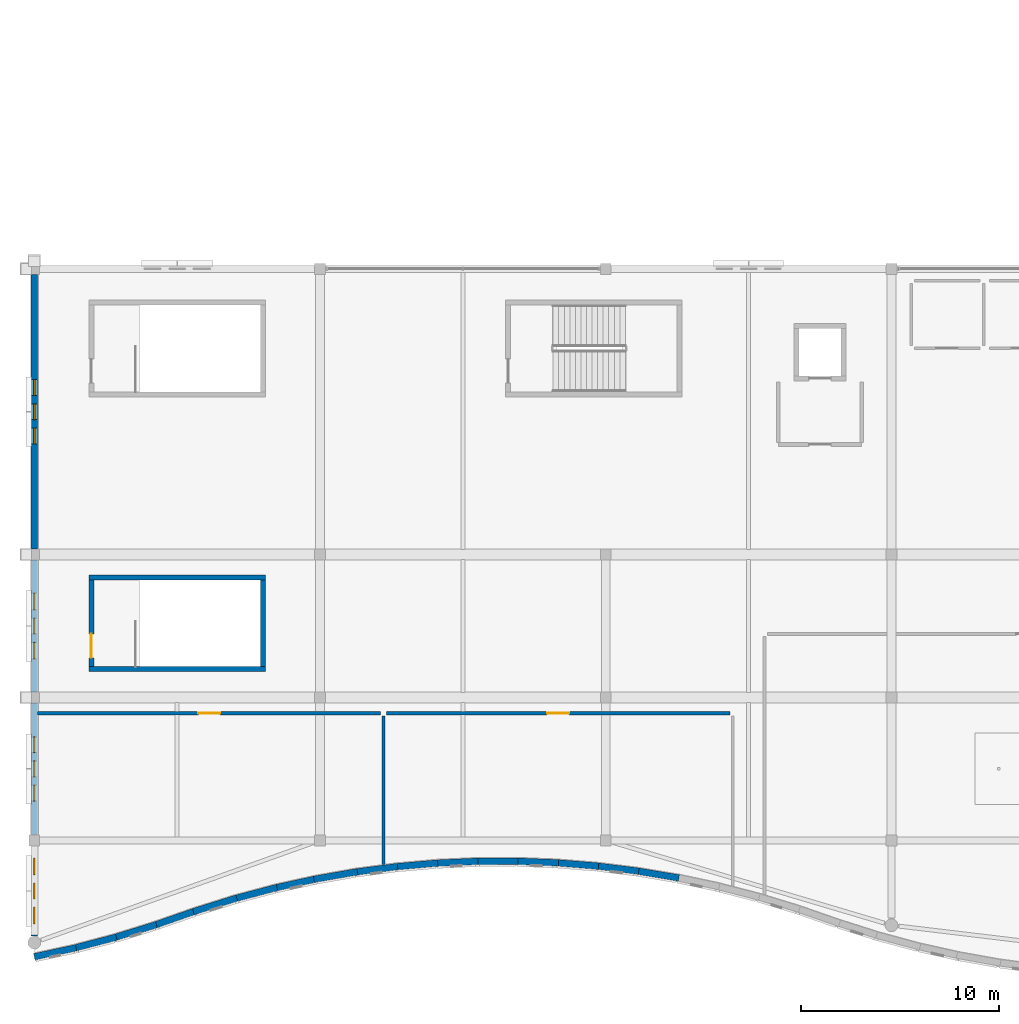
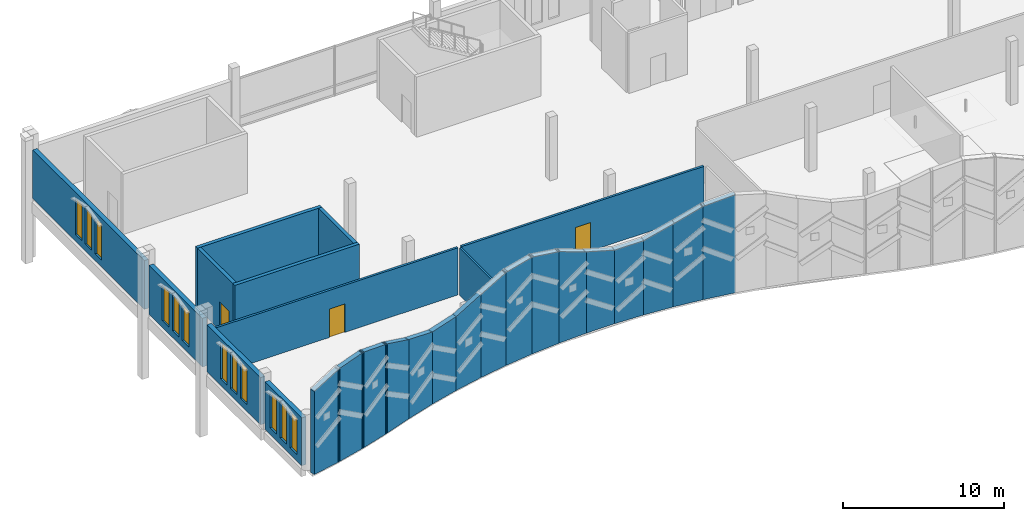
# One storey, part 82 of 116: 27 walls, 12 windows, 3 doors, 15 openings.
"""IFC4 building model written with IfcOpenShell, lengths in metres."""

import ifcopenshell
import ifcopenshell.guid

model = None  # the IFC model being written
_history = None  # IfcOwnerHistory: only IFC2X3 demands one
_inside = {}  # id of a spatial element -> (the spatial element, [elements in it])
_under = {}  # id of a project, library or spatial element -> (it, [spatial elements below it])
_declared = {}  # id of a project -> (the project, [libraries it declares])
_typed = {}  # id of a type object -> (the type object, [elements of that type])
_made_of = {}  # id of a material, layer set ... -> (it, [elements and type objects made of it])


def new_model(schema):
    """Start an empty IFC model of exactly this schema.

    Asked for "IFC4X3", IfcOpenShell would pick the latest addendum, in which some entities
    have other attributes; the version numbers below select the first issue.
    IFC2X3 requires an IfcOwnerHistory on every rooted entity: one is made here for all.
    """
    global model, _history
    if schema == "IFC4X3":
        model = ifcopenshell.file(schema_version=(4, 3, 0, 0))
    else:
        model = ifcopenshell.file(schema=schema)
    _inside.clear()
    _under.clear()
    _declared.clear()
    _typed.clear()
    _made_of.clear()
    _history = None
    if model.schema == "IFC2X3":
        org = make("IfcOrganization", Name="unknown")
        user = make(
            "IfcPersonAndOrganization",
            ThePerson=make("IfcPerson", FamilyName="unknown"),
            TheOrganization=org,
        )
        app = make(
            "IfcApplication",
            ApplicationDeveloper=org,
            Version="unknown",
            ApplicationFullName="unknown",
            ApplicationIdentifier="unknown",
        )
        _history = make(
            "IfcOwnerHistory",
            OwningUser=user,
            OwningApplication=app,
            ChangeAction="ADDED",
            CreationDate=0,
        )
    return model


def make(cls, **values):
    """One entity of the class cls with the attributes given. An attribute that is None is left unset."""
    return model.create_entity(
        cls, **{name: value for name, value in values.items() if value is not None}
    )


def rooted(cls, **values):
    """An entity with a GlobalId (a new one), such as an element, a storey or a relation."""
    return make(cls, GlobalId=ifcopenshell.guid.new(), OwnerHistory=_history, **values)


def si_unit(unit_type, name, prefix=None):
    """IfcSIUnit, for example si_unit("LENGTHUNIT", "METRE", prefix="MILLI")."""
    return make("IfcSIUnit", UnitType=unit_type, Prefix=prefix, Name=name)


def assignment(units):
    """IfcUnitAssignment: the units of a project."""
    return None if units is None else make("IfcUnitAssignment", Units=units)


def point(xyz):
    """IfcCartesianPoint."""
    return None if xyz is None else make("IfcCartesianPoint", Coordinates=xyz)


def direction(xyz):
    """IfcDirection."""
    return None if xyz is None else make("IfcDirection", DirectionRatios=xyz)


def frame(location, z_axis=None, x_axis=None):
    """IfcAxis2Placement3D, a coordinate frame: its origin and axes. An axis left out is left unset."""
    return make(
        "IfcAxis2Placement3D",
        Location=point(location),
        Axis=direction(z_axis),
        RefDirection=direction(x_axis),
    )


def frame_2d(location, x_axis=None):
    """IfcAxis2Placement2D, a coordinate frame in the plane: its origin and x axis."""
    return make(
        "IfcAxis2Placement2D", Location=point(location), RefDirection=direction(x_axis)
    )


def origin():
    """The frame at (0, 0, 0) with its axes left unset."""
    return frame((0.0, 0.0, 0.0))


def place(relative_to, where):
    """IfcLocalPlacement: puts the frame where relative to a parent placement (None: the world)."""
    return make(
        "IfcLocalPlacement", PlacementRelTo=relative_to, RelativePlacement=where
    )


def context(
    kind, dimensions, precision=None, world=None, true_north=None, identifier=None
):
    """IfcGeometricRepresentationContext, for example the 3D "Model" context."""
    return make(
        "IfcGeometricRepresentationContext",
        ContextIdentifier=identifier,
        ContextType=kind,
        CoordinateSpaceDimension=dimensions,
        Precision=precision,
        WorldCoordinateSystem=world,
        TrueNorth=true_north,
    )


def subcontext(parent, identifier, kind, view, scale=None):
    """IfcGeometricRepresentationSubContext, for example "Body" below "Model"."""
    return make(
        "IfcGeometricRepresentationSubContext",
        ContextIdentifier=identifier,
        ContextType=kind,
        ParentContext=parent,
        TargetScale=scale,
        TargetView=view,
    )


def project(units=None, contexts=None):
    """IfcProject with its units and contexts."""
    return rooted(
        "IfcProject",
        Name="project",
        RepresentationContexts=contexts,
        UnitsInContext=assignment(units),
    )


def spatial(cls, under=None, at=None, **own):
    """A site, building, storey or space (cls), placed at a placement, below another one or the project."""
    s = rooted(cls, ObjectPlacement=at, **own)
    if under is not None:
        _under.setdefault(under.id(), (under, []))[1].append(s)
    return s


def polyline(points):
    """IfcPolyline through the points."""
    return make("IfcPolyline", Points=[point(p) for p in points])


def profile(cls, at=None, kind="AREA", **sizes):
    """A parametric profile (cls). Its sizes go by their IFC names, for example OverallWidth=200.0."""
    return make(cls, ProfileType=kind, Position=at, **sizes)


def rectangle(**sizes):
    """IfcRectangleProfileDef."""
    return profile("IfcRectangleProfileDef", **sizes)


def outline(outer, holes=None, kind="AREA"):
    """IfcArbitraryClosedProfileDef: a profile drawn as a closed curve; with holes, ...WithVoids."""
    if holes is None:
        return make("IfcArbitraryClosedProfileDef", ProfileType=kind, OuterCurve=outer)
    return make(
        "IfcArbitraryProfileDefWithVoids",
        ProfileType=kind,
        OuterCurve=outer,
        InnerCurves=holes,
    )


def extrude(swept, where, along, depth):
    """IfcExtrudedAreaSolid: the profile swept, set in the frame where, extruded along a direction by depth."""
    return make(
        "IfcExtrudedAreaSolid",
        SweptArea=swept,
        Position=where,
        ExtrudedDirection=direction(along),
        Depth=depth,
    )


def shape(context_of_items, identifier, shape_type, items):
    """IfcShapeRepresentation: the items that make up one representation, for example the "Body"."""
    return make(
        "IfcShapeRepresentation",
        ContextOfItems=context_of_items,
        RepresentationIdentifier=identifier,
        RepresentationType=shape_type,
        Items=items,
    )


def material(Name=None, Category=None):
    """IfcMaterial."""
    return make("IfcMaterial", Name=Name, Category=Category)


def layer(
    of_material, thickness, ventilated=None, Name=None, Category=None, Priority=None
):
    """IfcMaterialLayer: one layer of a wall or slab, of a material (None: an air gap)."""
    return make(
        "IfcMaterialLayer",
        Material=of_material,
        LayerThickness=thickness,
        IsVentilated=ventilated,
        Name=Name,
        Category=Category,
        Priority=Priority,
    )


def layer_set(layers, Name=None):
    """IfcMaterialLayerSet."""
    return make("IfcMaterialLayerSet", MaterialLayers=layers, LayerSetName=Name)


def made_of(thing, what):
    """Note that an element or type object is made of a material, layer set ...; save() writes the relation."""
    if what is not None:
        _made_of.setdefault(what.id(), (what, []))[1].append(thing)
    return thing


def type_object(cls, material=None, **own):
    """A type object (cls), such as IfcWallType, which elements share."""
    return made_of(rooted(cls, **own), material)


def element(
    cls,
    number,
    at=None,
    inside=None,
    cuts=None,
    type_object=None,
    material=None,
    context=None,
    identifier="Body",
    shape_type=None,
    held_by="IfcProductDefinitionShape",
    body=None,
    shapes=None,
    **own,
):
    """One element of the class cls, such as IfcWall. Its Tag is "e" and its number.

    at: its placement. inside: the storey or other place that contains it. cuts: it is an
    opening in that element (IfcRelVoidsElement). A single representation is given by context,
    identifier, shape_type and body (its items); several are given by shapes. held_by: the class
    of the entity that holds the representations. save() writes the other relations.
    """
    e = rooted(cls, Tag="e%d" % number, ObjectPlacement=at, **own)
    if body is not None:
        shapes = [shape(context, identifier, shape_type, body)]
    if shapes is not None:
        e.Representation = make(held_by, Representations=shapes)
    if inside is not None:
        _inside.setdefault(inside.id(), (inside, []))[1].append(e)
    if cuts is not None:
        rooted(
            "IfcRelVoidsElement", RelatingBuildingElement=cuts, RelatedOpeningElement=e
        )
    if type_object is not None:
        _typed.setdefault(type_object.id(), (type_object, []))[1].append(e)
    return made_of(e, material)


def fill(opening, filler):
    """IfcRelFillsElement: the door or window that sits in an opening."""
    return rooted(
        "IfcRelFillsElement",
        RelatingOpeningElement=opening,
        RelatedBuildingElement=filler,
    )


def aggregate(whole, parts):
    """IfcRelAggregates: a whole, such as a stair, and the parts it consists of."""
    return rooted("IfcRelAggregates", RelatingObject=whole, RelatedObjects=parts)


def save(model, path):
    """Write the relations noted so far, then the file.

    IfcRelAggregates (storeys below a building ...), IfcRelContainedInSpatialStructure (elements
    in a storey), IfcRelDefinesByType, IfcRelAssociatesMaterial and IfcRelDeclares: one each for
    every whole, place, type object, material and project.
    """
    for whole, parts in _under.values():
        aggregate(whole, parts)
    for where, things in _inside.values():
        rooted(
            "IfcRelContainedInSpatialStructure",
            RelatedElements=things,
            RelatingStructure=where,
        )
    for kind, things in _typed.values():
        rooted("IfcRelDefinesByType", RelatedObjects=things, RelatingType=kind)
    for what, things in _made_of.values():
        rooted("IfcRelAssociatesMaterial", RelatedObjects=things, RelatingMaterial=what)
    for by, libraries in _declared.values():
        rooted("IfcRelDeclares", RelatingContext=by, RelatedDefinitions=libraries)
    model.write(path)


model = new_model("IFC4")

# Units and contexts
model_context = context("Model", 3, precision=1e-05, world=origin(), true_north=direction((0.0, 1.0)))
body_context = subcontext(model_context, "Body", "Model", "MODEL_VIEW")
ifc_project = project(units=[si_unit("LENGTHUNIT", "METRE"), si_unit("AREAUNIT", "SQUARE_METRE"), si_unit("VOLUMEUNIT", "CUBIC_METRE"), si_unit("PLANEANGLEUNIT", "RADIAN"), si_unit("MASSUNIT", "GRAM", prefix="KILO")], contexts=[model_context])

# Site, building, storey
site_placement = place(None, origin())
site = spatial("IfcSite", under=ifc_project, at=site_placement, CompositionType="ELEMENT")
building_placement = place(site_placement, origin())
building = spatial("IfcBuilding", under=site, at=building_placement, Name="Cendralis Lancet Convention Centre", CompositionType="ELEMENT")
storey_placement = place(building_placement, frame((0.0, 0.0, 15.0)))
storey = spatial("IfcBuildingStorey", under=building, at=storey_placement, Name="L03", CompositionType="ELEMENT", Elevation=15.0)

# Wall, openings, windows
ifc_material_1 = material(Name="Buff sandstone ashlar and Concrete G40 (C40/50)", Category="masonry")
ifc_layer_1 = layer(ifc_material_1, 0.320068359375, Name="Buff sandstone ashlar and Concrete G40 (C40/50)")
ifc_layer_set_1 = layer_set([ifc_layer_1], Name="Buff sandstone ashlar and Concrete G40 (C40/50)")
wall_type_1 = type_object("IfcWallType", Name="ARC-EW-W320", PredefinedType="STANDARD", material=ifc_layer_set_1)
wall_1_placement = place(storey_placement, frame((0.0, 2.37841796875, 0.0), z_axis=(0.0, 0.0, 1.0), x_axis=(0.0, 1.0, 0.0)))
wall_1 = element("IfcWall", 1, at=wall_1_placement, inside=storey, type_object=wall_type_1, Name="L03 V4 Exterior Wall EW-06 #0222", PredefinedType="STANDARD", context=body_context, shape_type="SweptSolid", body=[
    extrude(rectangle(XDim=4.53857421875, YDim=0.320068359375, at=frame_2d((2.269287109375, 0.0))), origin(), (0.0, 0.0, 1.0), 3.614990234375),
])
opening_1_placement = place(wall_1_placement, frame((0.609375, 0.0, 0.5)))
opening_1 = element("IfcOpeningElement", 2, at=opening_1_placement, cuts=wall_1, Name="Opening WN-15", PredefinedType="OPENING", context=body_context, shape_type="SweptSolid", body=[
    extrude(rectangle(XDim=0.840087890625, YDim=2.699951171875, at=frame_2d((0.419921875, 1.35009765625))), frame((0.0, 0.169921875, 0.0), z_axis=(0.0, -1.0, 0.0), x_axis=(1.0, 0.0, 0.0)), (0.0, 0.0, 1.0), 0.340087890625),
])
opening_2_placement = place(wall_1_placement, frame((1.869384765625, 0.0, 0.5)))
opening_2 = element("IfcOpeningElement", 3, at=opening_2_placement, cuts=wall_1, Name="Opening WN-07", PredefinedType="OPENING", context=body_context, shape_type="SweptSolid", body=[
    extrude(rectangle(XDim=0.800048828125, YDim=2.75, at=frame_2d((0.39990234375, 1.375))), frame((0.0, 0.169921875, 0.0), z_axis=(0.0, -1.0, 0.0), x_axis=(1.0, 0.0, 0.0)), (0.0, 0.0, 1.0), 0.340087890625),
])
opening_3_placement = place(wall_1_placement, frame((3.08935546875, 0.0, 0.5)))
opening_3 = element("IfcOpeningElement", 4, at=opening_3_placement, cuts=wall_1, Name="Opening WN-15", PredefinedType="OPENING", context=body_context, shape_type="SweptSolid", body=[
    extrude(rectangle(XDim=0.840087890625, YDim=2.699951171875, at=frame_2d((0.419921875, 1.35009765625))), frame((0.0, 0.169921875, 0.0), z_axis=(0.0, -1.0, 0.0), x_axis=(1.0, 0.0, 0.0)), (0.0, 0.0, 1.0), 0.340087890625),
])
ifc_material_2 = material(Name="Double-glazed low-E solar-control glass", Category="glass")
window_type_1 = type_object("IfcWindowType", Name="ARC-WN-LW07", PartitioningType="SINGLE_PANEL", PredefinedType="WINDOW", material=ifc_material_2)
window_1_placement = place(opening_2_placement, origin())
window_1 = element("IfcWindow", 5, at=window_1_placement, inside=storey, type_object=window_type_1, Name="Gothic Lancet Window WN-07 #0446", OverallHeight=2.75, OverallWidth=0.800048828125, PartitioningType="SINGLE_PANEL", PredefinedType="WINDOW", context=body_context, shape_type="SweptSolid", body=[
    extrude(rectangle(XDim=0.800048828125, YDim=2.75, at=frame_2d((0.39990234375, 1.375))), frame((0.0, 0.030029296875, 0.0), z_axis=(0.0, -1.0, 0.0), x_axis=(1.0, 0.0, 0.0)), (0.0, 0.0, 1.0), 0.06005859375),
])
fill(opening_2, window_1)
window_type_2 = type_object("IfcWindowType", Name="ARC-WN-LW15", PartitioningType="SINGLE_PANEL", PredefinedType="WINDOW", material=ifc_material_2)
window_2_placement = place(opening_1_placement, origin())
window_2 = element("IfcWindow", 6, at=window_2_placement, inside=storey, type_object=window_type_2, Name="Gothic Lancet Window WN-15 #0445", OverallHeight=2.699951171875, OverallWidth=0.840087890625, PartitioningType="SINGLE_PANEL", PredefinedType="WINDOW", context=body_context, shape_type="SweptSolid", body=[
    extrude(rectangle(XDim=0.840087890625, YDim=2.699951171875, at=frame_2d((0.419921875, 1.35009765625))), frame((0.0, 0.030029296875, 0.0), z_axis=(0.0, -1.0, 0.0), x_axis=(1.0, 0.0, 0.0)), (0.0, 0.0, 1.0), 0.06005859375),
])
fill(opening_1, window_2)
window_3_placement = place(opening_3_placement, origin())
window_3 = element("IfcWindow", 7, at=window_3_placement, inside=storey, type_object=window_type_2, Name="Gothic Lancet Window WN-15 #0447", OverallHeight=2.699951171875, OverallWidth=0.840087890625, PartitioningType="SINGLE_PANEL", PredefinedType="WINDOW", context=body_context, shape_type="SweptSolid", body=[
    extrude(rectangle(XDim=0.840087890625, YDim=2.699951171875, at=frame_2d((0.419921875, 1.35009765625))), frame((0.0, 0.030029296875, 0.0), z_axis=(0.0, -1.0, 0.0), x_axis=(1.0, 0.0, 0.0)), (0.0, 0.0, 1.0), 0.06005859375),
])
fill(opening_3, window_3)

wall_2_placement = place(storey_placement, frame((0.0, 7.48291015625, 0.0), z_axis=(0.0, 0.0, 1.0), x_axis=(0.0, 1.0, 0.0)))
wall_2 = element("IfcWall", 8, at=wall_2_placement, inside=storey, type_object=wall_type_1, Name="L03 V4 Exterior Wall EW-06 #0223", PredefinedType="STANDARD", context=body_context, shape_type="SweptSolid", body=[
    extrude(rectangle(XDim=6.634033203125, YDim=0.320068359375, at=frame_2d((3.31689453125, 0.0))), origin(), (0.0, 0.0, 1.0), 3.56494140625),
])
opening_4_placement = place(wall_2_placement, frame((1.697021484375, 0.0, 0.5)))
opening_4 = element("IfcOpeningElement", 9, at=opening_4_placement, cuts=wall_2, Name="Opening WN-07", PredefinedType="OPENING", context=body_context, shape_type="SweptSolid", body=[
    extrude(rectangle(XDim=0.800048828125, YDim=2.75, at=frame_2d((0.39990234375, 1.375))), frame((0.0, 0.169921875, 0.0), z_axis=(0.0, -1.0, 0.0), x_axis=(1.0, 0.0, 0.0)), (0.0, 0.0, 1.0), 0.340087890625),
])
opening_5_placement = place(wall_2_placement, frame((2.9169921875, 0.0, 0.5)))
opening_5 = element("IfcOpeningElement", 10, at=opening_5_placement, cuts=wall_2, Name="Opening WN-07", PredefinedType="OPENING", context=body_context, shape_type="SweptSolid", body=[
    extrude(rectangle(XDim=0.800048828125, YDim=2.75, at=frame_2d((0.39990234375, 1.375))), frame((0.0, 0.169921875, 0.0), z_axis=(0.0, -1.0, 0.0), x_axis=(1.0, 0.0, 0.0)), (0.0, 0.0, 1.0), 0.340087890625),
])
opening_6_placement = place(wall_2_placement, frame((4.136962890625, 0.0, 0.5)))
opening_6 = element("IfcOpeningElement", 11, at=opening_6_placement, cuts=wall_2, Name="Opening WN-07", PredefinedType="OPENING", context=body_context, shape_type="SweptSolid", body=[
    extrude(rectangle(XDim=0.800048828125, YDim=2.75, at=frame_2d((0.39990234375, 1.375))), frame((0.0, 0.169921875, 0.0), z_axis=(0.0, -1.0, 0.0), x_axis=(1.0, 0.0, 0.0)), (0.0, 0.0, 1.0), 0.340087890625),
])
window_4_placement = place(opening_4_placement, origin())
window_4 = element("IfcWindow", 12, at=window_4_placement, inside=storey, type_object=window_type_1, Name="Gothic Lancet Window WN-07 #0448", OverallHeight=2.75, OverallWidth=0.800048828125, PartitioningType="SINGLE_PANEL", PredefinedType="WINDOW", context=body_context, shape_type="SweptSolid", body=[
    extrude(rectangle(XDim=0.800048828125, YDim=2.75, at=frame_2d((0.39990234375, 1.375))), frame((0.0, 0.030029296875, 0.0), z_axis=(0.0, -1.0, 0.0), x_axis=(1.0, 0.0, 0.0)), (0.0, 0.0, 1.0), 0.06005859375),
])
fill(opening_4, window_4)
window_5_placement = place(opening_5_placement, origin())
window_5 = element("IfcWindow", 13, at=window_5_placement, inside=storey, type_object=window_type_1, Name="Gothic Lancet Window WN-07 #0449", OverallHeight=2.75, OverallWidth=0.800048828125, PartitioningType="SINGLE_PANEL", PredefinedType="WINDOW", context=body_context, shape_type="SweptSolid", body=[
    extrude(rectangle(XDim=0.800048828125, YDim=2.75, at=frame_2d((0.39990234375, 1.375))), frame((0.0, 0.030029296875, 0.0), z_axis=(0.0, -1.0, 0.0), x_axis=(1.0, 0.0, 0.0)), (0.0, 0.0, 1.0), 0.06005859375),
])
fill(opening_5, window_5)
window_6_placement = place(opening_6_placement, origin())
window_6 = element("IfcWindow", 14, at=window_6_placement, inside=storey, type_object=window_type_1, Name="Gothic Lancet Window WN-07 #0450", OverallHeight=2.75, OverallWidth=0.800048828125, PartitioningType="SINGLE_PANEL", PredefinedType="WINDOW", context=body_context, shape_type="SweptSolid", body=[
    extrude(rectangle(XDim=0.800048828125, YDim=2.75, at=frame_2d((0.39990234375, 1.375))), frame((0.0, 0.030029296875, 0.0), z_axis=(0.0, -1.0, 0.0), x_axis=(1.0, 0.0, 0.0)), (0.0, 0.0, 1.0), 0.06005859375),
])
fill(opening_6, window_6)

wall_3_placement = place(storey_placement, frame((0.0, 14.68310546875, 0.0), z_axis=(0.0, 0.0, 1.0), x_axis=(0.0, 1.0, 0.0)))
wall_3 = element("IfcWall", 15, at=wall_3_placement, inside=storey, type_object=wall_type_1, Name="L03 V4 Exterior Wall EW-06 #0224", PredefinedType="STANDARD", context=body_context, shape_type="SweptSolid", body=[
    extrude(rectangle(XDim=6.6337890625, YDim=0.320068359375, at=frame_2d((3.31689453125, 0.0))), origin(), (0.0, 0.0, 1.0), 3.68505859375),
])
opening_7_placement = place(wall_3_placement, frame((1.656982421875, 0.0, 0.5)))
opening_7 = element("IfcOpeningElement", 16, at=opening_7_placement, cuts=wall_3, Name="Opening WN-15", PredefinedType="OPENING", context=body_context, shape_type="SweptSolid", body=[
    extrude(rectangle(XDim=0.840087890625, YDim=2.699951171875, at=frame_2d((0.419921875, 1.35009765625))), frame((0.0, 0.169921875, 0.0), z_axis=(0.0, -1.0, 0.0), x_axis=(1.0, 0.0, 0.0)), (0.0, 0.0, 1.0), 0.340087890625),
])
opening_8_placement = place(wall_3_placement, frame((2.9169921875, 0.0, 0.5)))
opening_8 = element("IfcOpeningElement", 17, at=opening_8_placement, cuts=wall_3, Name="Opening WN-07", PredefinedType="OPENING", context=body_context, shape_type="SweptSolid", body=[
    extrude(rectangle(XDim=0.800048828125, YDim=2.75, at=frame_2d((0.39990234375, 1.375))), frame((0.0, 0.169921875, 0.0), z_axis=(0.0, -1.0, 0.0), x_axis=(1.0, 0.0, 0.0)), (0.0, 0.0, 1.0), 0.340087890625),
])
opening_9_placement = place(wall_3_placement, frame((4.136962890625, 0.0, 0.5)))
opening_9 = element("IfcOpeningElement", 18, at=opening_9_placement, cuts=wall_3, Name="Opening WN-15", PredefinedType="OPENING", context=body_context, shape_type="SweptSolid", body=[
    extrude(rectangle(XDim=0.840087890625, YDim=2.699951171875, at=frame_2d((0.419921875, 1.35009765625))), frame((0.0, 0.169921875, 0.0), z_axis=(0.0, -1.0, 0.0), x_axis=(1.0, 0.0, 0.0)), (0.0, 0.0, 1.0), 0.340087890625),
])
window_7_placement = place(opening_8_placement, origin())
window_7 = element("IfcWindow", 19, at=window_7_placement, inside=storey, type_object=window_type_1, Name="Gothic Lancet Window WN-07 #0452", OverallHeight=2.75, OverallWidth=0.800048828125, PartitioningType="SINGLE_PANEL", PredefinedType="WINDOW", context=body_context, shape_type="SweptSolid", body=[
    extrude(rectangle(XDim=0.800048828125, YDim=2.75, at=frame_2d((0.39990234375, 1.375))), frame((0.0, 0.030029296875, 0.0), z_axis=(0.0, -1.0, 0.0), x_axis=(1.0, 0.0, 0.0)), (0.0, 0.0, 1.0), 0.06005859375),
])
fill(opening_8, window_7)
window_8_placement = place(opening_7_placement, origin())
window_8 = element("IfcWindow", 20, at=window_8_placement, inside=storey, type_object=window_type_2, Name="Gothic Lancet Window WN-15 #0451", OverallHeight=2.699951171875, OverallWidth=0.840087890625, PartitioningType="SINGLE_PANEL", PredefinedType="WINDOW", context=body_context, shape_type="SweptSolid", body=[
    extrude(rectangle(XDim=0.840087890625, YDim=2.699951171875, at=frame_2d((0.419921875, 1.35009765625))), frame((0.0, 0.030029296875, 0.0), z_axis=(0.0, -1.0, 0.0), x_axis=(1.0, 0.0, 0.0)), (0.0, 0.0, 1.0), 0.06005859375),
])
fill(opening_7, window_8)
window_9_placement = place(opening_9_placement, origin())
window_9 = element("IfcWindow", 21, at=window_9_placement, inside=storey, type_object=window_type_2, Name="Gothic Lancet Window WN-15 #0453", OverallHeight=2.699951171875, OverallWidth=0.840087890625, PartitioningType="SINGLE_PANEL", PredefinedType="WINDOW", context=body_context, shape_type="SweptSolid", body=[
    extrude(rectangle(XDim=0.840087890625, YDim=2.699951171875, at=frame_2d((0.419921875, 1.35009765625))), frame((0.0, 0.030029296875, 0.0), z_axis=(0.0, -1.0, 0.0), x_axis=(1.0, 0.0, 0.0)), (0.0, 0.0, 1.0), 0.06005859375),
])
fill(opening_9, window_9)

wall_4_placement = place(storey_placement, frame((0.0, 21.883056640625, 0.0), z_axis=(0.0, 0.0, 1.0), x_axis=(0.0, 1.0, 0.0)))
wall_4 = element("IfcWall", 22, at=wall_4_placement, inside=storey, type_object=wall_type_1, Name="L03 V4 Exterior Wall EW-06 #0225", PredefinedType="STANDARD", context=body_context, shape_type="SweptSolid", body=[
    extrude(rectangle(XDim=13.833984375, YDim=0.320068359375, at=frame_2d((6.9169921875, 0.0))), origin(), (0.0, 0.0, 1.0), 3.68505859375),
])
opening_10_placement = place(wall_4_placement, frame((5.297119140625, 0.0, 0.5)))
opening_10 = element("IfcOpeningElement", 23, at=opening_10_placement, cuts=wall_4, Name="Opening WN-07", PredefinedType="OPENING", context=body_context, shape_type="SweptSolid", body=[
    extrude(rectangle(XDim=0.800048828125, YDim=2.75, at=frame_2d((0.39990234375, 1.375))), frame((0.0, 0.169921875, 0.0), z_axis=(0.0, -1.0, 0.0), x_axis=(1.0, 0.0, 0.0)), (0.0, 0.0, 1.0), 0.340087890625),
])
opening_11_placement = place(wall_4_placement, frame((6.51708984375, 0.0, 0.5)))
opening_11 = element("IfcOpeningElement", 24, at=opening_11_placement, cuts=wall_4, Name="Opening WN-07", PredefinedType="OPENING", context=body_context, shape_type="SweptSolid", body=[
    extrude(rectangle(XDim=0.800048828125, YDim=2.75, at=frame_2d((0.39990234375, 1.375))), frame((0.0, 0.169921875, 0.0), z_axis=(0.0, -1.0, 0.0), x_axis=(1.0, 0.0, 0.0)), (0.0, 0.0, 1.0), 0.340087890625),
])
opening_12_placement = place(wall_4_placement, frame((7.737060546875, 0.0, 0.5)))
opening_12 = element("IfcOpeningElement", 25, at=opening_12_placement, cuts=wall_4, Name="Opening WN-07", PredefinedType="OPENING", context=body_context, shape_type="SweptSolid", body=[
    extrude(rectangle(XDim=0.800048828125, YDim=2.75, at=frame_2d((0.39990234375, 1.375))), frame((0.0, 0.169921875, 0.0), z_axis=(0.0, -1.0, 0.0), x_axis=(1.0, 0.0, 0.0)), (0.0, 0.0, 1.0), 0.340087890625),
])
window_10_placement = place(opening_10_placement, origin())
window_10 = element("IfcWindow", 26, at=window_10_placement, inside=storey, type_object=window_type_1, Name="Gothic Lancet Window WN-07 #0454", OverallHeight=2.75, OverallWidth=0.800048828125, PartitioningType="SINGLE_PANEL", PredefinedType="WINDOW", context=body_context, shape_type="SweptSolid", body=[
    extrude(rectangle(XDim=0.800048828125, YDim=2.75, at=frame_2d((0.39990234375, 1.375))), frame((0.0, 0.030029296875, 0.0), z_axis=(0.0, -1.0, 0.0), x_axis=(1.0, 0.0, 0.0)), (0.0, 0.0, 1.0), 0.06005859375),
])
fill(opening_10, window_10)
window_11_placement = place(opening_11_placement, origin())
window_11 = element("IfcWindow", 27, at=window_11_placement, inside=storey, type_object=window_type_1, Name="Gothic Lancet Window WN-07 #0455", OverallHeight=2.75, OverallWidth=0.800048828125, PartitioningType="SINGLE_PANEL", PredefinedType="WINDOW", context=body_context, shape_type="SweptSolid", body=[
    extrude(rectangle(XDim=0.800048828125, YDim=2.75, at=frame_2d((0.39990234375, 1.375))), frame((0.0, 0.030029296875, 0.0), z_axis=(0.0, -1.0, 0.0), x_axis=(1.0, 0.0, 0.0)), (0.0, 0.0, 1.0), 0.06005859375),
])
fill(opening_11, window_11)
window_12_placement = place(opening_12_placement, origin())
window_12 = element("IfcWindow", 28, at=window_12_placement, inside=storey, type_object=window_type_1, Name="Gothic Lancet Window WN-07 #0456", OverallHeight=2.75, OverallWidth=0.800048828125, PartitioningType="SINGLE_PANEL", PredefinedType="WINDOW", context=body_context, shape_type="SweptSolid", body=[
    extrude(rectangle(XDim=0.800048828125, YDim=2.75, at=frame_2d((0.39990234375, 1.375))), frame((0.0, 0.030029296875, 0.0), z_axis=(0.0, -1.0, 0.0), x_axis=(1.0, 0.0, 0.0)), (0.0, 0.0, 1.0), 0.06005859375),
])
fill(opening_12, window_12)

# Walls
ifc_layer_2 = layer(ifc_material_1, 0.340087890625, Name="Buff sandstone ashlar and Concrete G40 (C40/50)")
ifc_layer_set_2 = layer_set([ifc_layer_2], Name="Buff sandstone ashlar and Concrete G40 (C40/50)")
wall_type_2 = type_object("IfcWallType", Name="ARC-EW-W340", PredefinedType="STANDARD", material=ifc_layer_set_2)
wall_5_placement = place(storey_placement, frame((0.0, 1.324951171875, 0.0), z_axis=(0.0, 0.0, 1.0), x_axis=(0.977391411292, 0.211438003045, 0.0)))
element("IfcWall", 29, at=wall_5_placement, inside=storey, type_object=wall_type_2, Name="South Boulevard Wave Crest Wall L03 WP-001-WP-002", PredefinedType="STANDARD", context=body_context, shape_type="SweptSolid", body=[
    extrude(outline(polyline([(0.0, 0.0), (2.156982421875, 0.0), (2.156982421875, 7.06689453125), (0.0, 6.300048828125), (0.0, 0.0)])), frame((0.0, 0.169921875, 0.0), z_axis=(0.0, -1.0, 0.0), x_axis=(1.0, 0.0, 0.0)), (0.0, 0.0, 1.0), 0.340087890625),
])
wall_6_placement = place(storey_placement, frame((1.94287109375, 1.741455078125, 0.0), z_axis=(0.0, 0.0, 1.0), x_axis=(0.967279624391, 0.253712688365, 0.0)))
element("IfcWall", 30, at=wall_6_placement, inside=storey, type_object=wall_type_2, Name="South Boulevard Wave Crest Wall L03 WP-002-WP-003", PredefinedType="STANDARD", context=body_context, shape_type="SweptSolid", body=[
    extrude(outline(polyline([(0.0, 0.0), (2.26318359375, 0.0), (2.263427734375, 7.246337890625), (0.0, 7.0224609375), (0.0, 0.0)])), frame((0.0, 0.169921875, 0.0), z_axis=(0.0, -1.0, 0.0), x_axis=(1.0, 0.0, 0.0)), (0.0, 0.0, 1.0), 0.340087890625),
])
wall_7_placement = place(storey_placement, frame((3.96875, 2.268798828125, 0.0), z_axis=(0.0, 0.0, 1.0), x_axis=(0.955303090407, 0.295628154037, 0.0)))
element("IfcWall", 31, at=wall_7_placement, inside=storey, type_object=wall_type_2, Name="South Boulevard Wave Crest Wall L03 WP-003-WP-004", PredefinedType="STANDARD", context=body_context, shape_type="SweptSolid", body=[
    extrude(outline(polyline([(0.0, 0.0), (2.290771484375, 0.0), (2.290771484375, 6.75), (0.0, 7.258544921875), (0.0, 0.0)])), frame((0.0, 0.169921875, 0.0), z_axis=(0.0, -1.0, 0.0), x_axis=(1.0, 0.0, 0.0)), (0.0, 0.0, 1.0), 0.340087890625),
])
wall_8_placement = place(storey_placement, frame((5.99560546875, 2.89306640625, 0.0), z_axis=(0.0, 0.0, 1.0), x_axis=(0.94443416272, 0.328700642359, 0.0)))
element("IfcWall", 32, at=wall_8_placement, inside=storey, type_object=wall_type_2, Name="South Boulevard Wave Crest Wall L03 WP-004-WP-005", PredefinedType="STANDARD", context=body_context, shape_type="SweptSolid", body=[
    extrude(outline(polyline([(0.0, 0.0), (2.314453125, 0.0), (2.314208984375, 5.94873046875), (0.0, 6.80810546875), (0.0, 0.0)])), frame((0.0, 0.169921875, 0.0), z_axis=(0.0, -1.0, 0.0), x_axis=(1.0, 0.0, 0.0)), (0.0, 0.0, 1.0), 0.340087890625),
])
wall_9_placement = place(storey_placement, frame((8.02001953125, 3.6005859375, 0.0), z_axis=(0.0, 0.0, 1.0), x_axis=(0.954309219856, 0.29882087092, 0.0)))
element("IfcWall", 33, at=wall_9_placement, inside=storey, type_object=wall_type_2, Name="South Boulevard Wave Crest Wall L03 WP-005-WP-006", PredefinedType="STANDARD", context=body_context, shape_type="SweptSolid", body=[
    extrude(outline(polyline([(0.0, 0.0), (2.291748046875, 0.0), (2.2919921875, 5.435302734375), (0.0, 6.009521484375), (0.0, 0.0)])), frame((0.0, 0.169921875, 0.0), z_axis=(0.0, -1.0, 0.0), x_axis=(1.0, 0.0, 0.0)), (0.0, 0.0, 1.0), 0.340087890625),
])
wall_10_placement = place(storey_placement, frame((10.043701171875, 4.23828125, 0.0), z_axis=(0.0, 0.0, 1.0), x_axis=(0.966488469337, 0.256710028318, 0.0)))
element("IfcWall", 34, at=wall_10_placement, inside=storey, type_object=wall_type_2, Name="South Boulevard Wave Crest Wall L03 WP-006-WP-007", PredefinedType="STANDARD", context=body_context, shape_type="SweptSolid", body=[
    extrude(outline(polyline([(0.0, 0.0), (2.265380859375, 0.0), (2.265380859375, 5.59423828125), (0.0, 5.4541015625), (0.0, 0.0)])), frame((0.0, 0.169921875, 0.0), z_axis=(0.0, -1.0, 0.0), x_axis=(1.0, 0.0, 0.0)), (0.0, 0.0, 1.0), 0.340087890625),
])
wall_11_placement = place(storey_placement, frame((12.068115234375, 4.77978515625, 0.0), z_axis=(0.0, 0.0, 1.0), x_axis=(0.976716550921, 0.214533864827, 0.0)))
element("IfcWall", 35, at=wall_11_placement, inside=storey, type_object=wall_type_2, Name="South Boulevard Wave Crest Wall L03 WP-007-WP-008", PredefinedType="STANDARD", context=body_context, shape_type="SweptSolid", body=[
    extrude(outline(polyline([(0.0, 0.0), (2.244140625, 0.0), (2.244140625, 6.317138671875), (0.0, 5.555419921875), (0.0, 0.0)])), frame((0.0, 0.169921875, 0.0), z_axis=(0.0, -1.0, 0.0), x_axis=(1.0, 0.0, 0.0)), (0.0, 0.0, 1.0), 0.340087890625),
])
wall_12_placement = place(storey_placement, frame((14.09326171875, 5.228271484375, 0.0), z_axis=(0.0, 0.0, 1.0), x_axis=(0.984965211382, 0.172752807119, 0.0)))
element("IfcWall", 36, at=wall_12_placement, inside=storey, type_object=wall_type_2, Name="South Boulevard Wave Crest Wall L03 WP-008-WP-009", PredefinedType="STANDARD", context=body_context, shape_type="SweptSolid", body=[
    extrude(outline(polyline([(0.0, 0.0), (2.225830078125, 0.0), (2.225830078125, 7.082275390625), (0.0, 6.24755859375), (0.0, 0.0)])), frame((0.0, 0.169921875, 0.0), z_axis=(0.0, -1.0, 0.0), x_axis=(1.0, 0.0, 0.0)), (0.0, 0.0, 1.0), 0.340087890625),
])
wall_13_placement = place(storey_placement, frame((16.11767578125, 5.5869140625, 0.0), z_axis=(0.0, 0.0, 1.0), x_axis=(0.991486191208, 0.130211875974, 0.0)))
element("IfcWall", 37, at=wall_13_placement, inside=storey, type_object=wall_type_2, Name="South Boulevard Wave Crest Wall L03 WP-009-WP-010", PredefinedType="STANDARD", context=body_context, shape_type="SweptSolid", body=[
    extrude(outline(polyline([(0.0, 0.0), (2.21240234375, 0.0), (2.21240234375, 7.337646484375), (0.0, 7.031982421875), (0.0, 0.0)])), frame((0.0, 0.169921875, 0.0), z_axis=(0.0, -1.0, 0.0), x_axis=(1.0, 0.0, 0.0)), (0.0, 0.0, 1.0), 0.340087890625),
])
wall_14_placement = place(storey_placement, frame((18.142333984375, 5.8564453125, 0.0), z_axis=(0.0, 0.0, 1.0), x_axis=(0.996110991358, 0.088107280611, 0.0)))
element("IfcWall", 38, at=wall_14_placement, inside=storey, type_object=wall_type_2, Name="South Boulevard Wave Crest Wall L03 WP-010-WP-011", PredefinedType="STANDARD", context=body_context, shape_type="SweptSolid", body=[
    extrude(outline(polyline([(0.0, 0.0), (2.202880859375, 0.0), (2.202880859375, 6.90478515625), (0.0, 7.34375), (0.0, 0.0)])), frame((0.0, 0.169921875, 0.0), z_axis=(0.0, -1.0, 0.0), x_axis=(1.0, 0.0, 0.0)), (0.0, 0.0, 1.0), 0.340087890625),
])
wall_15_placement = place(storey_placement, frame((20.1669921875, 6.0390625, 0.0), z_axis=(0.0, 0.0, 1.0), x_axis=(0.998967623962, 0.045427813898, 0.0)))
element("IfcWall", 39, at=wall_15_placement, inside=storey, type_object=wall_type_2, Name="South Boulevard Wave Crest Wall L03 WP-011-WP-012", PredefinedType="STANDARD", context=body_context, shape_type="SweptSolid", body=[
    extrude(outline(polyline([(0.0, 0.0), (2.197998046875, 0.0), (2.197998046875, 6.107421875), (0.0, 6.96240234375), (0.0, 0.0)])), frame((0.0, 0.169921875, 0.0), z_axis=(0.0, -1.0, 0.0), x_axis=(1.0, 0.0, 0.0)), (0.0, 0.0, 1.0), 0.340087890625),
])
wall_16_placement = place(storey_placement, frame((22.193115234375, 6.134765625, 0.0), z_axis=(0.0, 0.0, 1.0), x_axis=(0.999992421526, 0.003893185178, 0.0)))
element("IfcWall", 40, at=wall_16_placement, inside=storey, type_object=wall_type_2, Name="South Boulevard Wave Crest Wall L03 WP-012-WP-013", PredefinedType="STANDARD", context=body_context, shape_type="SweptSolid", body=[
    extrude(outline(polyline([(0.0, 0.0), (2.19482421875, 0.0), (2.195068359375, 5.53759765625), (0.0, 6.173828125), (0.0, 0.0)])), frame((0.0, 0.169921875, 0.0), z_axis=(0.0, -1.0, 0.0), x_axis=(1.0, 0.0, 0.0)), (0.0, 0.0, 1.0), 0.340087890625),
])
wall_17_placement = place(storey_placement, frame((24.218017578125, 6.146240234375, 0.0), z_axis=(0.0, 0.0, 1.0), x_axis=(0.999243004404, -0.038902675366, 0.0)))
element("IfcWall", 41, at=wall_17_placement, inside=storey, type_object=wall_type_2, Name="South Boulevard Wave Crest Wall L03 WP-013-WP-014", PredefinedType="STANDARD", context=body_context, shape_type="SweptSolid", body=[
    extrude(outline(polyline([(0.0, 0.0), (2.196533203125, 0.0), (2.196533203125, 5.619140625), (0.0, 5.5634765625), (0.0, 0.0)])), frame((0.0, 0.169921875, 0.0), z_axis=(0.0, -1.0, 0.0), x_axis=(1.0, 0.0, 0.0)), (0.0, 0.0, 1.0), 0.340087890625),
])
wall_18_placement = place(storey_placement, frame((26.243408203125, 6.07080078125, 0.0), z_axis=(0.0, 0.0, 1.0), x_axis=(0.996735804633, -0.080732495079, 0.0)))
element("IfcWall", 42, at=wall_18_placement, inside=storey, type_object=wall_type_2, Name="South Boulevard Wave Crest Wall L03 WP-014-WP-015", PredefinedType="STANDARD", context=body_context, shape_type="SweptSolid", body=[
    extrude(outline(polyline([(0.0, 0.0), (2.201416015625, 0.0), (2.20166015625, 6.30029296875), (0.0, 5.5849609375), (0.0, 0.0)])), frame((0.0, 0.169921875, 0.0), z_axis=(0.0, -1.0, 0.0), x_axis=(1.0, 0.0, 0.0)), (0.0, 0.0, 1.0), 0.340087890625),
])
wall_19_placement = place(storey_placement, frame((28.2685546875, 5.910400390625, 0.0), z_axis=(0.0, 0.0, 1.0), x_axis=(0.992403097248, -0.123028828214, 0.0)))
element("IfcWall", 43, at=wall_19_placement, inside=storey, type_object=wall_type_2, Name="South Boulevard Wave Crest Wall L03 WP-015-WP-016", PredefinedType="STANDARD", context=body_context, shape_type="SweptSolid", body=[
    extrude(outline(polyline([(0.0, 0.0), (2.210693359375, 0.0), (2.210693359375, 7.0908203125), (0.0, 6.230712890625), (0.0, 0.0)])), frame((0.0, 0.169921875, 0.0), z_axis=(0.0, -1.0, 0.0), x_axis=(1.0, 0.0, 0.0)), (0.0, 0.0, 1.0), 0.340087890625),
])
wall_20_placement = place(storey_placement, frame((30.294189453125, 5.6630859375, 0.0), z_axis=(0.0, 0.0, 1.0), x_axis=(0.986277976668, -0.165093163818, 0.0)))
element("IfcWall", 44, at=wall_20_placement, inside=storey, type_object=wall_type_2, Name="South Boulevard Wave Crest Wall L03 WP-016-WP-017", PredefinedType="STANDARD", context=body_context, shape_type="SweptSolid", body=[
    extrude(outline(polyline([(0.0, 0.0), (2.22412109375, 0.0), (2.22412109375, 7.42041015625), (0.0, 7.035888671875), (0.0, 0.0)])), frame((0.0, 0.169921875, 0.0), z_axis=(0.0, -1.0, 0.0), x_axis=(1.0, 0.0, 0.0)), (0.0, 0.0, 1.0), 0.340087890625),
])
ifc_material_3 = material(Name="Acoustic fire-rated gypsum board on steel studs", Category="steel")
ifc_layer_3 = layer(ifc_material_3, 0.139892578125, Name="Acoustic fire-rated gypsum board on steel studs")
ifc_layer_set_3 = layer_set([ifc_layer_3], Name="Acoustic fire-rated gypsum board on steel studs")
wall_type_3 = type_object("IfcWallType", Name="ARC-IW-P140", PredefinedType="PARTITIONING", material=ifc_layer_set_3)
wall_21_placement = place(storey_placement, frame((17.60009765625, 5.980712890625, 0.0), z_axis=(0.0, 0.0, 1.0), x_axis=(0.0, 1.0, 0.0)))
element("IfcWall", 45, at=wall_21_placement, inside=storey, type_object=wall_type_3, Name="L03 Interior Partition IW-04 #0283", PredefinedType="PARTITIONING", context=body_context, shape_type="SweptSolid", body=[
    extrude(rectangle(XDim=7.479248046875, YDim=0.139892578125, at=frame_2d((3.73974609375, 0.0))), origin(), (0.0, 0.0, 1.0), 3.56494140625),
])

# Wall, opening, door
ifc_layer_4 = layer(ifc_material_3, 0.159912109375, Name="Acoustic fire-rated gypsum board on steel studs")
ifc_layer_set_4 = layer_set([ifc_layer_4], Name="Acoustic fire-rated gypsum board on steel studs")
wall_type_4 = type_object("IfcWallType", Name="ARC-IW-P160", PredefinedType="PARTITIONING", material=ifc_layer_set_4)
wall_22_placement = place(storey_placement, frame((0.169921875, 13.60009765625, 0.0), z_axis=(0.0, 0.0, 1.0), x_axis=(1.0, 0.0, 0.0)))
wall_22 = element("IfcWall", 46, at=wall_22_placement, inside=storey, type_object=wall_type_4, Name="L03 Interior Partition IW-03 #0282", PredefinedType="PARTITIONING", context=body_context, shape_type="SweptSolid", body=[
    extrude(rectangle(XDim=17.2900390625, YDim=0.159912109375, at=frame_2d((8.64501953125, 0.0))), origin(), (0.0, 0.0, 1.0), 3.56494140625),
])
opening_13_placement = place(wall_22_placement, frame((8.094970703125, 0.0, 0.0)))
opening_13 = element("IfcOpeningElement", 47, at=opening_13_placement, cuts=wall_22, Name="Opening FD-11", PredefinedType="OPENING", context=body_context, shape_type="SweptSolid", body=[
    extrude(rectangle(XDim=1.10009765625, YDim=2.14990234375, at=frame_2d((0.550048828125, 1.074951171875))), frame((0.0, 0.08984375, 0.0), z_axis=(0.0, -1.0, 0.0), x_axis=(1.0, 0.0, 0.0)), (0.0, 0.0, 1.0), 0.179931640625),
])
ifc_material_4 = material(Name="Steel S355", Category="steel")
door_type_1 = type_object("IfcDoorType", Name="ARC-DR-FF11", OperationType="NOTDEFINED", PredefinedType="DOOR", material=ifc_material_4)
door_1_placement = place(opening_13_placement, frame((1.10009765625, 0.0, 0.0), z_axis=(0.0, 0.0, 1.0), x_axis=(-1.0, 0.0, 0.0)))
door_1 = element("IfcDoor", 48, at=door_1_placement, inside=storey, type_object=door_type_1, Name="L03-D013 L03 Interior Door FD-11 #0093", OperationType="SINGLE_SWING_LEFT", OverallHeight=2.14990234375, OverallWidth=1.10009765625, PredefinedType="DOOR", context=body_context, shape_type="SweptSolid", body=[
    extrude(rectangle(XDim=1.10009765625, YDim=2.14990234375, at=frame_2d((0.550048828125, 1.074951171875))), frame((0.0, 0.02490234375, 0.0), z_axis=(0.0, -1.0, 0.0), x_axis=(1.0, 0.0, 0.0)), (0.0, 0.0, 1.0), 0.050048828125),
])
fill(opening_13, door_1)

wall_23_placement = place(storey_placement, frame((17.739990234375, 13.60009765625, 0.0), z_axis=(0.0, 0.0, 1.0), x_axis=(1.0, 0.0, 0.0)))
wall_23 = element("IfcWall", 49, at=wall_23_placement, inside=storey, type_object=wall_type_4, Name="L03 Interior Partition IW-03 #0284", PredefinedType="PARTITIONING", context=body_context, shape_type="SweptSolid", body=[
    extrude(rectangle(XDim=17.320068359375, YDim=0.159912109375, at=frame_2d((8.66015625, 0.0))), origin(), (0.0, 0.0, 1.0), 3.56494140625),
])
opening_14_placement = place(wall_23_placement, frame((8.110107421875, 0.0, 0.0)))
opening_14 = element("IfcOpeningElement", 50, at=opening_14_placement, cuts=wall_23, Name="Opening FD-11", PredefinedType="OPENING", context=body_context, shape_type="SweptSolid", body=[
    extrude(rectangle(XDim=1.10009765625, YDim=2.14990234375, at=frame_2d((0.550048828125, 1.074951171875))), frame((0.0, 0.08984375, 0.0), z_axis=(0.0, -1.0, 0.0), x_axis=(1.0, 0.0, 0.0)), (0.0, 0.0, 1.0), 0.179931640625),
])
door_2_placement = place(opening_14_placement, origin())
door_2 = element("IfcDoor", 51, at=door_2_placement, inside=storey, type_object=door_type_1, Name="L03-D014 L03 Interior Door FD-11 #0094", OperationType="SINGLE_SWING_RIGHT", OverallHeight=2.14990234375, OverallWidth=1.10009765625, PredefinedType="DOOR", context=body_context, shape_type="SweptSolid", body=[
    extrude(rectangle(XDim=1.10009765625, YDim=2.14990234375, at=frame_2d((0.550048828125, 1.074951171875))), frame((0.0, 0.02490234375, 0.0), z_axis=(0.0, -1.0, 0.0), x_axis=(1.0, 0.0, 0.0)), (0.0, 0.0, 1.0), 0.050048828125),
])
fill(opening_14, door_2)

ifc_material_5 = material(Name="Concrete G40 (C40/50)", Category="concrete")
ifc_layer_5 = layer(ifc_material_5, 0.25, Name="Concrete G40 (C40/50)")
ifc_layer_set_5 = layer_set([ifc_layer_5], Name="Concrete G40 (C40/50)")
wall_type_5 = type_object("IfcWallType", Name="STR-SW-CW250", PredefinedType="SHEAR", material=ifc_layer_set_5)
wall_24_placement = place(storey_placement, frame((2.875, 15.949951171875, 0.0), z_axis=(0.0, 0.0, 1.0), x_axis=(0.0, 1.0, 0.0)))
wall_24 = element("IfcWall", 52, at=wall_24_placement, inside=storey, type_object=wall_type_5, Name="L03 Stair Core ST-17 West Shear Wall", PredefinedType="SHEAR", context=body_context, shape_type="SweptSolid", body=[
    extrude(rectangle(XDim=4.380126953125, YDim=0.25, at=frame_2d((2.18994140625, 0.0))), origin(), (0.0, 0.0, 1.0), 4.550048828125),
])
opening_15_placement = place(wall_24_placement, frame((0.449951171875, 0.0, 0.0)))
opening_15 = element("IfcOpeningElement", 53, at=opening_15_placement, cuts=wall_24, Name="Opening SD-12", PredefinedType="OPENING", context=body_context, shape_type="SweptSolid", body=[
    extrude(rectangle(XDim=1.199951171875, YDim=2.14990234375, at=frame_2d((0.60009765625, 1.074951171875))), frame((0.0, 0.135009765625, 0.0), z_axis=(0.0, -1.0, 0.0), x_axis=(1.0, 0.0, 0.0)), (0.0, 0.0, 1.0), 0.27001953125),
])
door_type_2 = type_object("IfcDoorType", Name="ARC-DR-ST12", OperationType="NOTDEFINED", PredefinedType="DOOR", material=ifc_material_4)
door_3_placement = place(opening_15_placement, frame((1.199951171875, 0.0, 0.0), z_axis=(0.0, 0.0, 1.0), x_axis=(-1.0, 0.0, 0.0)))
door_3 = element("IfcDoor", 54, at=door_3_placement, inside=storey, type_object=door_type_2, Name="L03-D061 L03 Exit Stair ST-17 Fire Door", OperationType="SINGLE_SWING_RIGHT", OverallHeight=2.14990234375, OverallWidth=1.199951171875, PredefinedType="DOOR", context=body_context, shape_type="SweptSolid", body=[
    extrude(rectangle(XDim=1.199951171875, YDim=2.14990234375, at=frame_2d((0.60009765625, 1.074951171875))), frame((0.0, 0.02490234375, 0.0), z_axis=(0.0, -1.0, 0.0), x_axis=(1.0, 0.0, 0.0)), (0.0, 0.0, 1.0), 0.050048828125),
])
fill(opening_15, door_3)

# Walls
wall_25_placement = place(storey_placement, frame((11.52490234375, 15.949951171875, 0.0), z_axis=(0.0, 0.0, 1.0), x_axis=(0.0, 1.0, 0.0)))
element("IfcWall", 55, at=wall_25_placement, inside=storey, type_object=wall_type_5, Name="L03 Stair Core ST-17 East Shear Wall", PredefinedType="SHEAR", context=body_context, shape_type="SweptSolid", body=[
    extrude(rectangle(XDim=4.380126953125, YDim=0.25, at=frame_2d((2.18994140625, 0.0))), origin(), (0.0, 0.0, 1.0), 4.550048828125),
])
for number, where, z_axis, x_axis, name in (
    (56, (2.75, 15.824951171875, 0.0), (0.0, 0.0, 1.0), (1.0, 0.0, 0.0), "L03 Stair Core ST-17 South Shear Wall"),
    (57, (2.75, 20.455078125, 0.0), (0.0, 0.0, 1.0), (1.0, 0.0, 0.0), "L03 Stair Core ST-17 North Shear Wall"),
):
    element("IfcWall", number, at=place(storey_placement, frame(where, z_axis=z_axis, x_axis=x_axis)), inside=storey, type_object=wall_type_5, Name=name, PredefinedType="SHEAR", context=body_context, shape_type="SweptSolid", body=[
        extrude(rectangle(XDim=8.89990234375, YDim=0.25, at=frame_2d((4.449951171875, 0.0))), origin(), (0.0, 0.0, 1.0), 4.550048828125),
    ])

save(model, "model.ifc")
